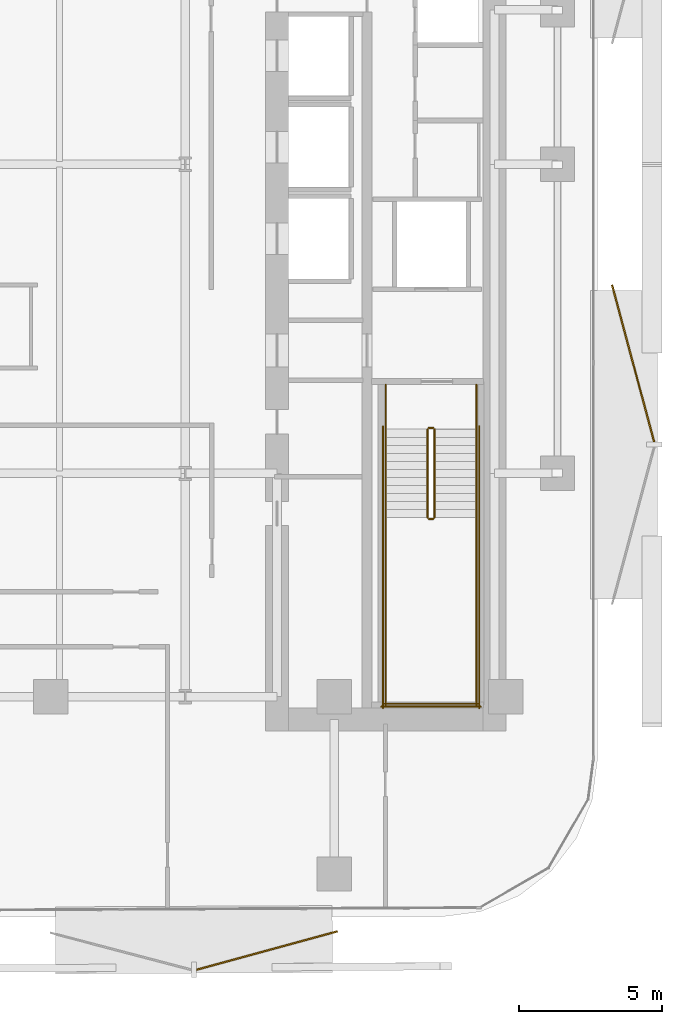
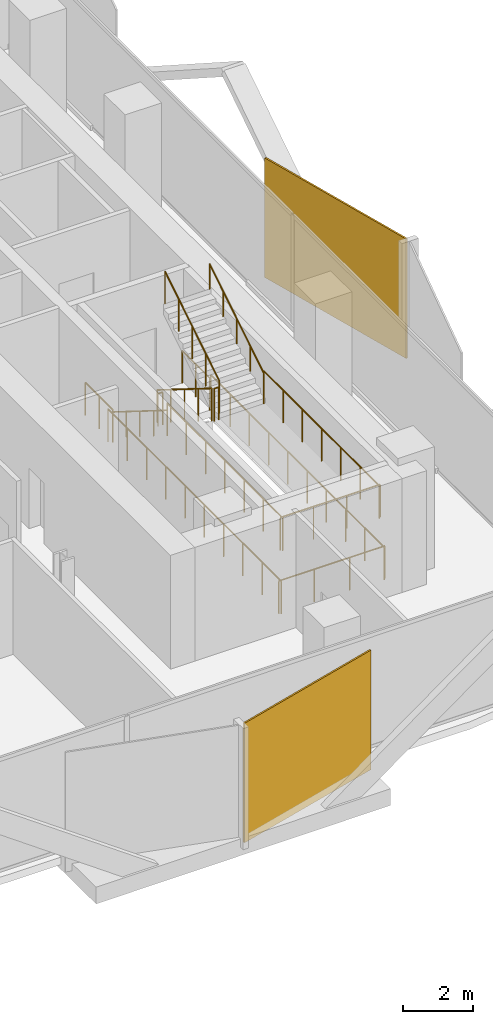
# One storey, part 14 of 16: 14 railings, 2 coverings.
"""IFC4 building model written with IfcOpenShell, lengths in metres."""

from ifc_helpers import new_model, si_unit, direction, frame, origin, origin_2d, place, context, subcontext, project, spatial, rectangle, circle, extrude, material, layer, layer_set, type_object, element, save


model = new_model("IFC4")

# Units and contexts
model_context = context("Model", 3, precision=1e-05, world=origin(), true_north=direction((0.0, 1.0)))
body_context = subcontext(model_context, "Body", "Model", "MODEL_VIEW")
ifc_project = project(units=[si_unit("LENGTHUNIT", "METRE"), si_unit("AREAUNIT", "SQUARE_METRE"), si_unit("VOLUMEUNIT", "CUBIC_METRE"), si_unit("PLANEANGLEUNIT", "RADIAN"), si_unit("MASSUNIT", "GRAM", prefix="KILO")], contexts=[model_context])

# Site, building, storey
site_placement = place(None, origin())
site = spatial("IfcSite", under=ifc_project, at=site_placement, CompositionType="ELEMENT")
building_placement = place(site_placement, origin())
building = spatial("IfcBuilding", under=site, at=building_placement, Name="Khairoan Windgate Tower", CompositionType="ELEMENT")
storey_placement = place(building_placement, frame((0.0, 0.0, 139.39990234375)))
storey = spatial("IfcBuildingStorey", under=building, at=storey_placement, Name="L32", CompositionType="ELEMENT", Elevation=139.39990234375)

# Coverings
ifc_material_1 = material(Name="Anodised Bronze Aluminium 6063-T6", Category="aluminium")
ifc_layer = layer(ifc_material_1, 0.054931640625, Name="Anodised Bronze Aluminium 6063-T6")
ifc_layer_set = layer_set([ifc_layer], Name="Anodised Bronze Aluminium 6063-T6")
covering_type = type_object("IfcCoveringType", Name="Perforated Bronze-Ceramic Folded Solar Screen Cladding BSC-1", PredefinedType="CLADDING", material=ifc_layer_set)
covering_1_placement = place(storey_placement, frame((12.05322265625, -27.472412109375, -0.099609375), z_axis=(0.0, 0.0, 1.0), x_axis=(-0.964649468762, -0.263536339841, 0.0)))
element("IfcCovering", 1, at=covering_1_placement, inside=storey, type_object=covering_type, Name="L32 Folded Bronze Solar Screen Facet 201L", PredefinedType="CLADDING", context=body_context, shape_type="SweptSolid", body=[
    extrude(rectangle(XDim=5.10107421875, YDim=0.054931640625, at=origin_2d()), origin(), (0.0, 0.0, 1.0), 4.139892578125),
])
covering_2_placement = place(storey_placement, frame((24.8447265625, -6.961669921875, -0.099609375), z_axis=(0.0, 0.0, 1.0), x_axis=(0.258819045103, -0.965925826289, 0.0)))
element("IfcCovering", 2, at=covering_2_placement, inside=storey, type_object=covering_type, Name="L32 Folded Bronze Solar Screen Facet 208L", PredefinedType="CLADDING", context=body_context, shape_type="SweptSolid", body=[
    extrude(rectangle(XDim=5.680908203125, YDim=0.054931640625, at=origin_2d()), origin(), (0.0, 0.0, 1.0), 4.139892578125),
])

# Railings
ifc_material_2 = material(Name="Anodised Bronze Aluminium 6063-T6", Category="aluminium")
railing_type_1 = type_object("IfcRailingType", Name="Stair Wall Handrail SHR-900", PredefinedType="HANDRAIL", material=ifc_material_2)
railing_1_placement = place(storey_placement, frame((16.199951171875, -9.260009765625, 0.175048828125)))
element("IfcRailing", 3, at=railing_1_placement, inside=storey, type_object=railing_type_1, Name="L32 ST1 stair handrail 1", PredefinedType="HANDRAIL", context=body_context, shape_type="SweptSolid", body=[
    extrude(circle(Radius=0.02392578125, at=origin_2d()), frame((0.0, 0.0, 0.8759765625), z_axis=(0.0, -0.847998304005, 0.529998940003), x_axis=(1.0, 0.0, 0.0)), (0.0, 0.0, 1.0), 3.632080078125),
    extrude(circle(Radius=0.02099609375, at=origin_2d()), origin(), (0.0, 0.0, 1.0), 0.851806640625),
    extrude(circle(Radius=0.02099609375, at=origin_2d()), frame((0.0, -0.77001953125, 0.481201171875)), (0.0, 0.0, 1.0), 0.851806640625),
    extrude(circle(Radius=0.02099609375, at=origin_2d()), frame((0.0, -1.5400390625, 0.96240234375)), (0.0, 0.0, 1.0), 0.851806640625),
    extrude(circle(Radius=0.02099609375, at=origin_2d()), frame((0.0, -2.31005859375, 1.44384765625)), (0.0, 0.0, 1.0), 0.851806640625),
    extrude(circle(Radius=0.02099609375, at=origin_2d()), frame((0.0, -3.080078125, 1.925048828125)), (0.0, 0.0, 1.0), 0.851806640625),
])
railing_2_placement = place(storey_placement, frame((19.3701171875, -12.340087890625, 2.275146484375)))
element("IfcRailing", 4, at=railing_2_placement, inside=storey, type_object=railing_type_1, Name="L32 ST1 stair handrail 2", PredefinedType="HANDRAIL", context=body_context, shape_type="SweptSolid", body=[
    extrude(circle(Radius=0.02392578125, at=origin_2d()), frame((0.0, 0.0, 0.8759765625), z_axis=(0.0, 0.847998304005, 0.529998940003), x_axis=(-1.0, 0.0, 0.0)), (0.0, 0.0, 1.0), 3.632080078125),
    extrude(circle(Radius=0.02099609375, at=origin_2d()), origin(), (0.0, 0.0, 1.0), 0.851806640625),
    extrude(circle(Radius=0.02099609375, at=origin_2d()), frame((0.0, 0.77001953125, 0.481201171875)), (0.0, 0.0, 1.0), 0.851806640625),
    extrude(circle(Radius=0.02099609375, at=origin_2d()), frame((0.0, 1.5400390625, 0.96240234375)), (0.0, 0.0, 1.0), 0.851806640625),
    extrude(circle(Radius=0.02099609375, at=origin_2d()), frame((0.0, 2.31005859375, 1.44384765625)), (0.0, 0.0, 1.0), 0.851806640625),
    extrude(circle(Radius=0.02099609375, at=origin_2d()), frame((0.0, 3.080078125, 1.925048828125)), (0.0, 0.0, 1.0), 0.851806640625),
])
ifc_material_3 = material(Name="Steel S355", Category="steel")
railing_type_2 = type_object("IfcRailingType", Name="Stairwell Safety Guardrail SGR-1150", PredefinedType="GUARDRAIL", material=ifc_material_3)
railing_3_placement = place(storey_placement, frame((17.659912109375, -9.260009765625, 0.175048828125)))
element("IfcRailing", 5, at=railing_3_placement, inside=storey, type_object=railing_type_2, Name="L32 ST1 stair guard 1", PredefinedType="GUARDRAIL", context=body_context, shape_type="SweptSolid", body=[
    extrude(circle(Radius=0.02392578125, at=origin_2d()), frame((0.0, 0.0, 1.1259765625), z_axis=(0.0, -0.847998304005, 0.529998940003), x_axis=(1.0, 0.0, 0.0)), (0.0, 0.0, 1.0), 3.632080078125),
    extrude(circle(Radius=0.02099609375, at=origin_2d()), origin(), (0.0, 0.0, 1.0), 1.101806640625),
    extrude(circle(Radius=0.02099609375, at=origin_2d()), frame((0.0, -0.77001953125, 0.481201171875)), (0.0, 0.0, 1.0), 1.101806640625),
    extrude(circle(Radius=0.02099609375, at=origin_2d()), frame((0.0, -1.5400390625, 0.96240234375)), (0.0, 0.0, 1.0), 1.101806640625),
    extrude(circle(Radius=0.02099609375, at=origin_2d()), frame((0.0, -2.31005859375, 1.44384765625)), (0.0, 0.0, 1.0), 1.101806640625),
    extrude(circle(Radius=0.02099609375, at=origin_2d()), frame((0.0, -3.080078125, 1.925048828125)), (0.0, 0.0, 1.0), 1.101806640625),
])
railing_4_placement = place(storey_placement, frame((17.7099609375, -12.389892578125, 2.10009765625)))
element("IfcRailing", 6, at=railing_4_placement, inside=storey, type_object=railing_type_2, Name="L32 ST1 stair guard 2", PredefinedType="GUARDRAIL", context=body_context, shape_type="SweptSolid", body=[
    extrude(circle(Radius=0.02392578125, at=origin_2d()), frame((0.0, 0.0, 1.1259765625), z_axis=(1.0, 0.0, 0.0), x_axis=(0.0, 1.0, 0.0)), (0.0, 0.0, 1.0), 0.150146484375),
    extrude(circle(Radius=0.02099609375, at=origin_2d()), origin(), (0.0, 0.0, 1.0), 1.101806640625),
    extrude(circle(Radius=0.02099609375, at=origin_2d()), frame((0.150146484375, 0.0, 0.0)), (0.0, 0.0, 1.0), 1.101806640625),
])
for number, where, name in (
    (7, (16.199951171875, -12.340087890625, 2.10009765625), "L32 ST1 stair guard 3"),
    (8, (19.3701171875, -12.340087890625, 2.10009765625), "L32 ST1 stair guard 4"),
):
    element("IfcRailing", number, at=place(storey_placement, frame(where)), inside=storey, type_object=railing_type_2, Name=name, PredefinedType="GUARDRAIL", context=body_context, shape_type="SweptSolid", body=[
        extrude(circle(Radius=0.02392578125, at=origin_2d()), frame((0.0, 0.0, 1.1259765625), z_axis=(0.0, -1.0, 0.0), x_axis=(1.0, 0.0, 0.0)), (0.0, 0.0, 1.0), 6.559814453125),
        extrude(circle(Radius=0.02099609375, at=origin_2d()), origin(), (0.0, 0.0, 1.0), 1.101806640625),
        extrude(circle(Radius=0.02099609375, at=origin_2d()), frame((0.0, -1.09326171875, 0.0)), (0.0, 0.0, 1.0), 1.101806640625),
        extrude(circle(Radius=0.02099609375, at=origin_2d()), frame((0.0, -2.1865234375, 0.0)), (0.0, 0.0, 1.0), 1.101806640625),
        extrude(circle(Radius=0.02099609375, at=origin_2d()), frame((0.0, -3.27978515625, 0.0)), (0.0, 0.0, 1.0), 1.101806640625),
        extrude(circle(Radius=0.02099609375, at=origin_2d()), frame((0.0, -4.373291015625, 0.0)), (0.0, 0.0, 1.0), 1.101806640625),
        extrude(circle(Radius=0.02099609375, at=origin_2d()), frame((0.0, -5.466552734375, 0.0)), (0.0, 0.0, 1.0), 1.101806640625),
        extrude(circle(Radius=0.02099609375, at=origin_2d()), frame((0.0, -6.559814453125, 0.0)), (0.0, 0.0, 1.0), 1.101806640625),
    ])
railing_5_placement = place(storey_placement, frame((16.14990234375, -18.85009765625, 2.10009765625)))
element("IfcRailing", 9, at=railing_5_placement, inside=storey, type_object=railing_type_2, Name="L32 ST1 stair guard 5", PredefinedType="GUARDRAIL", context=body_context, shape_type="SweptSolid", body=[
    extrude(circle(Radius=0.02392578125, at=origin_2d()), frame((0.0, 0.0, 1.1259765625), z_axis=(1.0, 0.0, 0.0), x_axis=(0.0, 1.0, 0.0)), (0.0, 0.0, 1.0), 3.27001953125),
    extrude(circle(Radius=0.02099609375, at=origin_2d()), origin(), (0.0, 0.0, 1.0), 1.101806640625),
    extrude(circle(Radius=0.02099609375, at=origin_2d()), frame((1.090087890625, 0.0, 0.0)), (0.0, 0.0, 1.0), 1.101806640625),
    extrude(circle(Radius=0.02099609375, at=origin_2d()), frame((2.179931640625, 0.0, 0.0)), (0.0, 0.0, 1.0), 1.101806640625),
    extrude(circle(Radius=0.02099609375, at=origin_2d()), frame((3.27001953125, 0.0, 0.0)), (0.0, 0.0, 1.0), 1.101806640625),
])
railing_6_placement = place(storey_placement, frame((17.909912109375, -12.340087890625, 2.275146484375)))
element("IfcRailing", 10, at=railing_6_placement, inside=storey, type_object=railing_type_2, Name="L32 ST1 stair guard 6", PredefinedType="GUARDRAIL", context=body_context, shape_type="SweptSolid", body=[
    extrude(circle(Radius=0.02392578125, at=origin_2d()), frame((0.0, 0.0, 1.1259765625), z_axis=(0.0, 0.847998304005, 0.529998940003), x_axis=(-1.0, 0.0, 0.0)), (0.0, 0.0, 1.0), 3.632080078125),
    extrude(circle(Radius=0.02099609375, at=origin_2d()), origin(), (0.0, 0.0, 1.0), 1.101806640625),
    extrude(circle(Radius=0.02099609375, at=origin_2d()), frame((0.0, 0.77001953125, 0.481201171875)), (0.0, 0.0, 1.0), 1.101806640625),
    extrude(circle(Radius=0.02099609375, at=origin_2d()), frame((0.0, 1.5400390625, 0.96240234375)), (0.0, 0.0, 1.0), 1.101806640625),
    extrude(circle(Radius=0.02099609375, at=origin_2d()), frame((0.0, 2.31005859375, 1.44384765625)), (0.0, 0.0, 1.0), 1.101806640625),
    extrude(circle(Radius=0.02099609375, at=origin_2d()), frame((0.0, 3.080078125, 1.925048828125)), (0.0, 0.0, 1.0), 1.101806640625),
])
railing_7_placement = place(storey_placement, frame((17.7099609375, -9.2099609375, 0.0)))
element("IfcRailing", 11, at=railing_7_placement, inside=storey, type_object=railing_type_2, Name="L32 ST1 stair guard 7", PredefinedType="GUARDRAIL", context=body_context, shape_type="SweptSolid", body=[
    extrude(circle(Radius=0.02392578125, at=origin_2d()), frame((0.0, 0.0, 1.1259765625), z_axis=(1.0, 0.0, 0.0), x_axis=(0.0, 1.0, 0.0)), (0.0, 0.0, 1.0), 0.150146484375),
    extrude(circle(Radius=0.02099609375, at=origin_2d()), origin(), (0.0, 0.0, 1.0), 1.101806640625),
    extrude(circle(Radius=0.02099609375, at=origin_2d()), frame((0.150146484375, 0.0, 0.0)), (0.0, 0.0, 1.0), 1.101806640625),
])
for number, where, name in (
    (12, (16.199951171875, -7.699951171875, 0.0), "L32 ST1 stair guard 8"),
    (13, (19.3701171875, -7.699951171875, 0.0), "L32 ST1 stair guard 9"),
):
    element("IfcRailing", number, at=place(storey_placement, frame(where)), inside=storey, type_object=railing_type_2, Name=name, PredefinedType="GUARDRAIL", context=body_context, shape_type="SweptSolid", body=[
        extrude(circle(Radius=0.02392578125, at=origin_2d()), frame((0.0, 0.0, 1.1259765625), z_axis=(0.0, -1.0, 0.0), x_axis=(1.0, 0.0, 0.0)), (0.0, 0.0, 1.0), 1.56005859375),
        extrude(circle(Radius=0.02099609375, at=origin_2d()), origin(), (0.0, 0.0, 1.0), 1.101806640625),
        extrude(circle(Radius=0.02099609375, at=origin_2d()), frame((0.0, -0.780029296875, 0.0)), (0.0, 0.0, 1.0), 1.101806640625),
        extrude(circle(Radius=0.02099609375, at=origin_2d()), frame((0.0, -1.56005859375, 0.0)), (0.0, 0.0, 1.0), 1.101806640625),
    ])
for number, where, name in (
    (14, (16.10009765625, -9.159912109375, 0.0), "L32 ST1 stair guard 10"),
    (15, (19.469970703125, -9.159912109375, 0.0), "L32 ST1 stair guard 11"),
):
    element("IfcRailing", number, at=place(storey_placement, frame(where)), inside=storey, type_object=railing_type_2, Name=name, PredefinedType="GUARDRAIL", context=body_context, shape_type="SweptSolid", body=[
        extrude(circle(Radius=0.02392578125, at=origin_2d()), frame((0.0, 0.0, 1.1259765625), z_axis=(0.0, -1.0, 0.0), x_axis=(1.0, 0.0, 0.0)), (0.0, 0.0, 1.0), 9.840087890625),
        extrude(circle(Radius=0.02099609375, at=origin_2d()), origin(), (0.0, 0.0, 1.0), 1.101806640625),
        extrude(circle(Radius=0.02099609375, at=origin_2d()), frame((0.0, -1.09326171875, 0.0)), (0.0, 0.0, 1.0), 1.101806640625),
        extrude(circle(Radius=0.02099609375, at=origin_2d()), frame((0.0, -2.186767578125, 0.0)), (0.0, 0.0, 1.0), 1.101806640625),
        extrude(circle(Radius=0.02099609375, at=origin_2d()), frame((0.0, -3.280029296875, 0.0)), (0.0, 0.0, 1.0), 1.101806640625),
        extrude(circle(Radius=0.02099609375, at=origin_2d()), frame((0.0, -4.373291015625, 0.0)), (0.0, 0.0, 1.0), 1.101806640625),
        extrude(circle(Radius=0.02099609375, at=origin_2d()), frame((0.0, -5.466796875, 0.0)), (0.0, 0.0, 1.0), 1.101806640625),
        extrude(circle(Radius=0.02099609375, at=origin_2d()), frame((0.0, -6.56005859375, 0.0)), (0.0, 0.0, 1.0), 1.101806640625),
        extrude(circle(Radius=0.02099609375, at=origin_2d()), frame((0.0, -7.6533203125, 0.0)), (0.0, 0.0, 1.0), 1.101806640625),
        extrude(circle(Radius=0.02099609375, at=origin_2d()), frame((0.0, -8.746826171875, 0.0)), (0.0, 0.0, 1.0), 1.101806640625),
        extrude(circle(Radius=0.02099609375, at=origin_2d()), frame((0.0, -9.840087890625, 0.0)), (0.0, 0.0, 1.0), 1.101806640625),
    ])
railing_8_placement = place(storey_placement, frame((16.050048828125, -18.949951171875, 0.0)))
element("IfcRailing", 16, at=railing_8_placement, inside=storey, type_object=railing_type_2, Name="L32 ST1 stair guard 12", PredefinedType="GUARDRAIL", context=body_context, shape_type="SweptSolid", body=[
    extrude(circle(Radius=0.02392578125, at=origin_2d()), frame((0.0, 0.0, 1.1259765625), z_axis=(1.0, 0.0, 0.0), x_axis=(0.0, 1.0, 0.0)), (0.0, 0.0, 1.0), 3.469970703125),
    extrude(circle(Radius=0.02099609375, at=origin_2d()), origin(), (0.0, 0.0, 1.0), 1.101806640625),
    extrude(circle(Radius=0.02099609375, at=origin_2d()), frame((1.15673828125, 0.0, 0.0)), (0.0, 0.0, 1.0), 1.101806640625),
    extrude(circle(Radius=0.02099609375, at=origin_2d()), frame((2.313232421875, 0.0, 0.0)), (0.0, 0.0, 1.0), 1.101806640625),
    extrude(circle(Radius=0.02099609375, at=origin_2d()), frame((3.469970703125, 0.0, 0.0)), (0.0, 0.0, 1.0), 1.101806640625),
])

save(model, "model.ifc")
